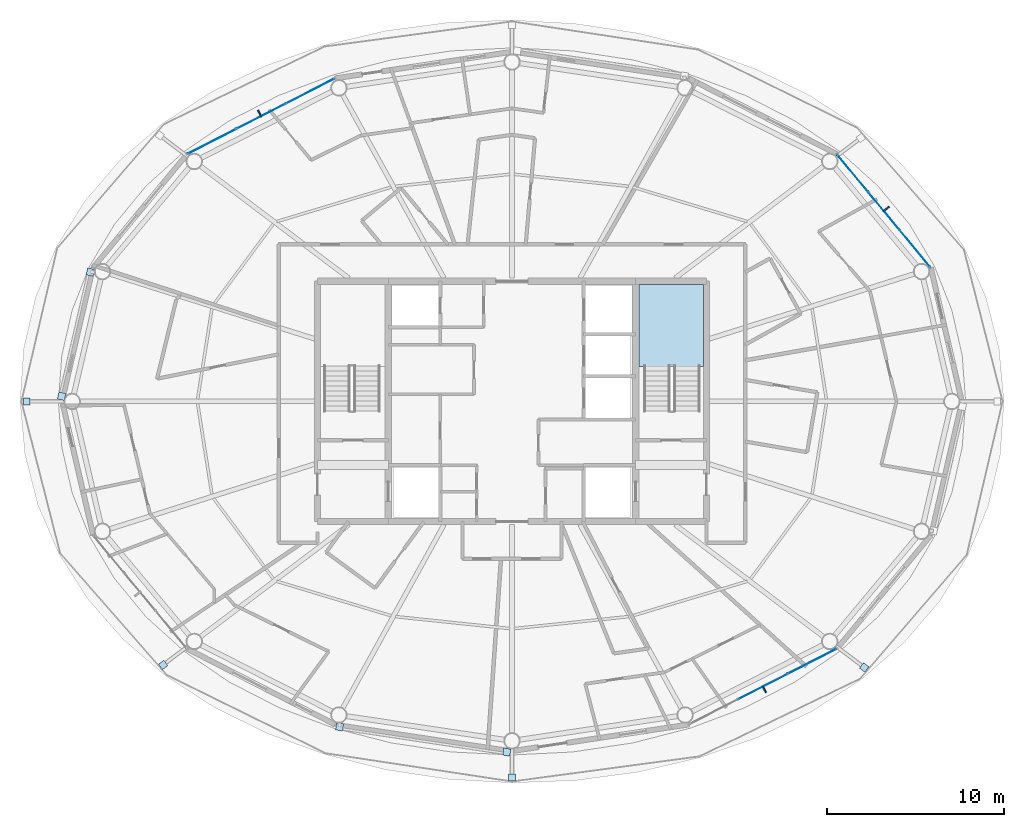
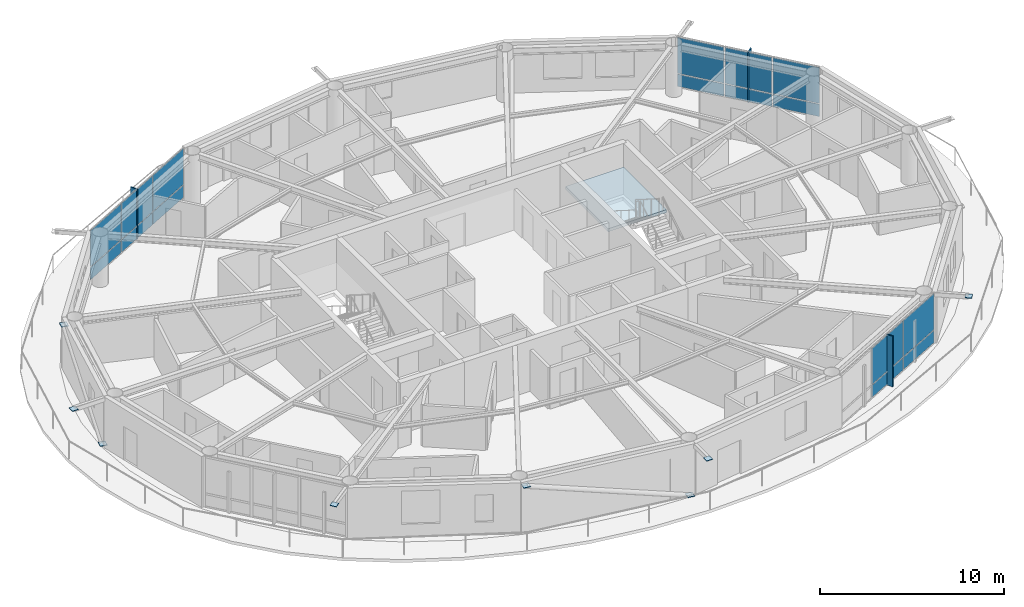
# One storey, part 14 of 22: 27 plates, 1 slab, 4 elements without a shape of their own.
"""IFC4 building model written with IfcOpenShell, lengths in metres."""

from ifc_helpers import new_model, si_unit, direction, frame, origin, origin_2d, place, context, subcontext, project, spatial, polyline, rectangle, outline, extrude, material, layer, layer_set, type_object, element, aggregate, save


model = new_model("IFC4")

# Units and contexts
model_context = context("Model", 3, precision=1e-05, world=origin(), true_north=direction((0.0, 1.0)))
body_context = subcontext(model_context, "Body", "Model", "MODEL_VIEW")
ifc_project = project(units=[si_unit("LENGTHUNIT", "METRE"), si_unit("AREAUNIT", "SQUARE_METRE"), si_unit("VOLUMEUNIT", "CUBIC_METRE"), si_unit("PLANEANGLEUNIT", "RADIAN"), si_unit("MASSUNIT", "GRAM", prefix="KILO")], contexts=[model_context])

# Site, building, storey
site_placement = place(None, origin())
site = spatial("IfcSite", under=ifc_project, at=site_placement, CompositionType="ELEMENT")
building_placement = place(site_placement, origin())
building = spatial("IfcBuilding", under=site, at=building_placement, Name="Sarneth Arch Tower", CompositionType="ELEMENT")
storey_placement = place(building_placement, frame((0.0, 0.0, 298.199951171875)))
storey = spatial("IfcBuildingStorey", under=building, at=storey_placement, Name="L77", CompositionType="ELEMENT", Elevation=298.199951171875)

# Curtain wall, plates
ifc_material_1 = material(Name="Anodised aluminium Type AA25 and solar-control low-e laminated IGU", Category="aluminium")
ifc_layer_1 = layer(ifc_material_1, 0.179931640625)
ifc_layer_set_1 = layer_set([ifc_layer_1], Name="Anodised aluminium Type AA25 and solar-control low-e laminated IGU")
curtain_wall_type = type_object("IfcCurtainWallType", Name="CW-RES-HIGH", PredefinedType="NOTDEFINED", material=ifc_layer_set_1)
curtain_wall_1_placement = place(storey_placement, origin())
curtain_wall_1 = element("IfcCurtainWall", 1, at=curtain_wall_1_placement, inside=storey, type_object=curtain_wall_type, Name="L77 Unitised curtain wall facet 02", PredefinedType="NOTDEFINED")
ifc_material_2 = material(Name="Solar-control low-e laminated IGU", Category="glass")
ifc_layer_2 = layer(ifc_material_2, 0.028076171875)
ifc_layer_set_2 = layer_set([ifc_layer_2], Name="Solar-control low-e laminated IGU")
plate_type_1 = type_object("IfcPlateType", Name="CW-PANEL", PredefinedType="CURTAIN_PANEL", material=ifc_layer_set_2)
plate_1_placement = place(storey_placement, frame((70.799072265625, 50.650634765625, 0.06005859375), z_axis=(0.0, 0.0, 1.0), x_axis=(-0.637610094184, 0.770359245933, 0.0)))
plate_1 = element("IfcPlate", 2, at=plate_1_placement, type_object=plate_type_1, Name="Curtain wall glazed vision pane CW-L77-F02/P00-00", PredefinedType="CURTAIN_PANEL", context=body_context, shape_type="SweptSolid", body=[
    extrude(rectangle(XDim=2.686767578125, YDim=0.028076171875, at=origin_2d()), origin(), (0.0, 0.0, 1.0), 0.81005859375),
])
plate_2_placement = place(storey_placement, frame((70.799072265625, 50.650634765625, 0.93017578125), z_axis=(0.0, 0.0, 1.0), x_axis=(-0.637610094184, 0.770359245933, 0.0)))
plate_2 = element("IfcPlate", 3, at=plate_2_placement, type_object=plate_type_1, Name="Curtain wall glazed vision pane CW-L77-F02/P00-01", PredefinedType="CURTAIN_PANEL", context=body_context, shape_type="SweptSolid", body=[
    extrude(rectangle(XDim=2.686767578125, YDim=0.028076171875, at=origin_2d()), origin(), (0.0, 0.0, 1.0), 2.3798828125),
])
plate_3_placement = place(storey_placement, frame((69.0380859375, 52.778076171875, 0.06005859375), z_axis=(0.0, 0.0, 1.0), x_axis=(-0.637610094184, 0.770359245933, 0.0)))
plate_3 = element("IfcPlate", 4, at=plate_3_placement, type_object=plate_type_1, Name="Curtain wall glazed vision pane CW-L77-F02/P01-00", PredefinedType="CURTAIN_PANEL", context=body_context, shape_type="SweptSolid", body=[
    extrude(rectangle(XDim=2.716552734375, YDim=0.028076171875, at=origin_2d()), origin(), (0.0, 0.0, 1.0), 0.81005859375),
])
plate_4_placement = place(storey_placement, frame((69.0380859375, 52.778076171875, 0.93017578125), z_axis=(0.0, 0.0, 1.0), x_axis=(-0.637610094184, 0.770359245933, 0.0)))
plate_4 = element("IfcPlate", 5, at=plate_4_placement, type_object=plate_type_1, Name="Curtain wall glazed vision pane CW-L77-F02/P01-01", PredefinedType="CURTAIN_PANEL", context=body_context, shape_type="SweptSolid", body=[
    extrude(rectangle(XDim=2.716552734375, YDim=0.028076171875, at=origin_2d()), origin(), (0.0, 0.0, 1.0), 2.3798828125),
])
plate_5_placement = place(storey_placement, frame((67.27734375, 54.905517578125, 0.06005859375), z_axis=(0.0, 0.0, 1.0), x_axis=(-0.637610094184, 0.770359245933, 0.0)))
plate_5 = element("IfcPlate", 6, at=plate_5_placement, type_object=plate_type_1, Name="Curtain wall glazed vision pane CW-L77-F02/P02-00", PredefinedType="CURTAIN_PANEL", context=body_context, shape_type="SweptSolid", body=[
    extrude(rectangle(XDim=2.686767578125, YDim=0.028076171875, at=origin_2d()), origin(), (0.0, 0.0, 1.0), 0.81005859375),
])
plate_6_placement = place(storey_placement, frame((67.27734375, 54.905517578125, 0.93017578125), z_axis=(0.0, 0.0, 1.0), x_axis=(-0.637610094184, 0.770359245933, 0.0)))
plate_6 = element("IfcPlate", 7, at=plate_6_placement, type_object=plate_type_1, Name="Curtain wall glazed vision pane CW-L77-F02/P02-01", PredefinedType="CURTAIN_PANEL", context=body_context, shape_type="SweptSolid", body=[
    extrude(rectangle(XDim=2.686767578125, YDim=0.028076171875, at=origin_2d()), origin(), (0.0, 0.0, 1.0), 2.3798828125),
])
aggregate(curtain_wall_1, [plate_1, plate_2, plate_3, plate_4, plate_5, plate_6])

curtain_wall_2_placement = place(storey_placement, origin())
curtain_wall_2 = element("IfcCurtainWall", 8, at=curtain_wall_2_placement, inside=storey, type_object=curtain_wall_type, Name="L77 Unitised curtain wall facet 06", PredefinedType="NOTDEFINED")
plate_7_placement = place(storey_placement, frame((36.5791015625, 59.552978515625, 0.06005859375), z_axis=(0.0, 0.0, 1.0), x_axis=(-0.890009540525, -0.455941901753, 0.0)))
plate_7 = element("IfcPlate", 9, at=plate_7_placement, type_object=plate_type_1, Name="Curtain wall glazed vision pane CW-L77-F06/P00-00", PredefinedType="CURTAIN_PANEL", context=body_context, shape_type="SweptSolid", body=[
    extrude(rectangle(XDim=3.044677734375, YDim=0.028076171875, at=origin_2d()), origin(), (0.0, 0.0, 1.0), 0.81005859375),
])
plate_8_placement = place(storey_placement, frame((36.5791015625, 59.552978515625, 0.93017578125), z_axis=(0.0, 0.0, 1.0), x_axis=(-0.890009540525, -0.455941901753, 0.0)))
plate_8 = element("IfcPlate", 10, at=plate_8_placement, type_object=plate_type_1, Name="Curtain wall glazed vision pane CW-L77-F06/P00-01", PredefinedType="CURTAIN_PANEL", context=body_context, shape_type="SweptSolid", body=[
    extrude(rectangle(XDim=3.044677734375, YDim=0.028076171875, at=origin_2d()), origin(), (0.0, 0.0, 1.0), 2.3798828125),
])
plate_9_placement = place(storey_placement, frame((33.802490234375, 58.13037109375, 0.06005859375), z_axis=(0.0, 0.0, 1.0), x_axis=(-0.890009540525, -0.455941901753, 0.0)))
plate_9 = element("IfcPlate", 11, at=plate_9_placement, type_object=plate_type_1, Name="Curtain wall glazed vision pane CW-L77-F06/P01-00", PredefinedType="CURTAIN_PANEL", context=body_context, shape_type="SweptSolid", body=[
    extrude(rectangle(XDim=3.07470703125, YDim=0.028076171875, at=origin_2d()), origin(), (0.0, 0.0, 1.0), 0.81005859375),
])
plate_10_placement = place(storey_placement, frame((33.802490234375, 58.13037109375, 0.93017578125), z_axis=(0.0, 0.0, 1.0), x_axis=(-0.890009540525, -0.455941901753, 0.0)))
plate_10 = element("IfcPlate", 12, at=plate_10_placement, type_object=plate_type_1, Name="Curtain wall glazed vision pane CW-L77-F06/P01-01", PredefinedType="CURTAIN_PANEL", context=body_context, shape_type="SweptSolid", body=[
    extrude(rectangle(XDim=3.07470703125, YDim=0.028076171875, at=origin_2d()), origin(), (0.0, 0.0, 1.0), 2.3798828125),
])
plate_11_placement = place(storey_placement, frame((31.02587890625, 56.7080078125, 0.06005859375), z_axis=(0.0, 0.0, 1.0), x_axis=(-0.890009540525, -0.455941901753, 0.0)))
plate_11 = element("IfcPlate", 13, at=plate_11_placement, type_object=plate_type_1, Name="Curtain wall glazed vision pane CW-L77-F06/P02-00", PredefinedType="CURTAIN_PANEL", context=body_context, shape_type="SweptSolid", body=[
    extrude(rectangle(XDim=3.044677734375, YDim=0.028076171875, at=origin_2d()), origin(), (0.0, 0.0, 1.0), 0.81005859375),
])
plate_12_placement = place(storey_placement, frame((31.02587890625, 56.7080078125, 0.93017578125), z_axis=(0.0, 0.0, 1.0), x_axis=(-0.890009540525, -0.455941901753, 0.0)))
plate_12 = element("IfcPlate", 14, at=plate_12_placement, type_object=plate_type_1, Name="Curtain wall glazed vision pane CW-L77-F06/P02-01", PredefinedType="CURTAIN_PANEL", context=body_context, shape_type="SweptSolid", body=[
    extrude(rectangle(XDim=3.044677734375, YDim=0.028076171875, at=origin_2d()), origin(), (0.0, 0.0, 1.0), 2.3798828125),
])
aggregate(curtain_wall_2, [plate_7, plate_8, plate_9, plate_10, plate_11, plate_12])

curtain_wall_3_placement = place(storey_placement, origin())
curtain_wall_3 = element("IfcCurtainWall", 15, at=curtain_wall_3_placement, inside=storey, type_object=curtain_wall_type, Name="L77 Unitised curtain wall facet 14", PredefinedType="NOTDEFINED")
plate_13_placement = place(storey_placement, frame((62.197509765625, 25.86962890625, 0.06005859375), z_axis=(0.0, 0.0, 1.0), x_axis=(0.890009540525, 0.455941901753, 0.0)))
plate_13 = element("IfcPlate", 16, at=plate_13_placement, type_object=plate_type_1, Name="Curtain wall glazed vision pane CW-L77-F14/P01-00", PredefinedType="CURTAIN_PANEL", context=body_context, shape_type="SweptSolid", body=[
    extrude(rectangle(XDim=3.07470703125, YDim=0.028076171875, at=origin_2d()), origin(), (0.0, 0.0, 1.0), 0.81005859375),
])
plate_14_placement = place(storey_placement, frame((62.197509765625, 25.86962890625, 0.93017578125), z_axis=(0.0, 0.0, 1.0), x_axis=(0.890009540525, 0.455941901753, 0.0)))
plate_14 = element("IfcPlate", 17, at=plate_14_placement, type_object=plate_type_1, Name="Curtain wall glazed vision pane CW-L77-F14/P01-01", PredefinedType="CURTAIN_PANEL", context=body_context, shape_type="SweptSolid", body=[
    extrude(rectangle(XDim=3.07470703125, YDim=0.028076171875, at=origin_2d()), origin(), (0.0, 0.0, 1.0), 2.3798828125),
])
plate_15_placement = place(storey_placement, frame((64.97412109375, 27.2919921875, 0.06005859375), z_axis=(0.0, 0.0, 1.0), x_axis=(0.890009540525, 0.455941901753, 0.0)))
plate_15 = element("IfcPlate", 18, at=plate_15_placement, type_object=plate_type_1, Name="Curtain wall glazed vision pane CW-L77-F14/P02-00", PredefinedType="CURTAIN_PANEL", context=body_context, shape_type="SweptSolid", body=[
    extrude(rectangle(XDim=3.044677734375, YDim=0.028076171875, at=origin_2d()), origin(), (0.0, 0.0, 1.0), 0.81005859375),
])
plate_16_placement = place(storey_placement, frame((64.97412109375, 27.2919921875, 0.93017578125), z_axis=(0.0, 0.0, 1.0), x_axis=(0.890009540525, 0.455941901753, 0.0)))
plate_16 = element("IfcPlate", 19, at=plate_16_placement, type_object=plate_type_1, Name="Curtain wall glazed vision pane CW-L77-F14/P02-01", PredefinedType="CURTAIN_PANEL", context=body_context, shape_type="SweptSolid", body=[
    extrude(rectangle(XDim=3.044677734375, YDim=0.028076171875, at=origin_2d()), origin(), (0.0, 0.0, 1.0), 2.3798828125),
])
aggregate(curtain_wall_3, [plate_13, plate_14, plate_15, plate_16])

# Plates
ifc_material_3 = material(Name="Steel S355", Category="steel")
ifc_layer_3 = layer(ifc_material_3, 0.035888671875)
ifc_layer_set_3 = layer_set([ifc_layer_3], Name="Steel S355")
plate_type_2 = type_object("IfcPlateType", Name="PLT-GUSSET-30", PredefinedType="SHEET", material=ifc_layer_set_3)
for number, where, z_axis, x_axis, name in (
    (20, (22.5234375, 42.292236328125, 0.001953125), (0.0, 0.0, 1.0), (-0.225461202458, -0.974252147129, 0.0), "Steel end cap plate GP-1"),
    (21, (24.148193359375, 49.3154296875, 3.07421875), (0.0, 0.0, 1.0), (-0.225461202458, -0.974252147129, 0.0), "Steel end cap plate GP-1"),
):
    element("IfcPlate", number, at=place(storey_placement, frame(where, z_axis=z_axis, x_axis=x_axis)), inside=storey, type_object=plate_type_2, Name=name, PredefinedType="SHEET", context=body_context, shape_type="SweptSolid", body=[
        extrude(rectangle(XDim=0.404052734375, YDim=0.404052734375, at=origin_2d()), origin(), (0.0, 0.0, 1.0), 0.035888671875),
    ])
for number, where, z_axis, x_axis, name in (
    (22, (20.544677734375, 42.0, 3.19189453125), (0.0, 0.0, 1.0), (-1.0, 0.0, 0.0), "Steel end cap plate GP-1"),
    (23, (28.265625, 27.094970703125, 3.19189453125), (0.0, 0.0, 1.0), (-0.798004853043, -0.602651022168, 0.0), "Steel end cap plate GP-1"),
):
    element("IfcPlate", number, at=place(storey_placement, frame(where, z_axis=z_axis, x_axis=x_axis)), inside=storey, type_object=plate_type_2, Name=name, PredefinedType="SHEET", context=body_context, shape_type="SweptSolid", body=[
        extrude(rectangle(XDim=0.3798828125, YDim=0.3798828125, at=origin_2d()), origin(), (0.0, 0.0, 1.0), 0.035888671875),
    ])
for number, where, z_axis, x_axis, name in (
    (24, (47.703369140625, 22.16455078125, 0.001953125), (0.0, 0.0, 1.0), (0.988860535448, -0.148845024885, 0.0), "Steel end cap plate GP-1"),
    (25, (38.245849609375, 23.588623046875, 3.07421875), (0.0, 0.0, 1.0), (0.988860535448, -0.148845024885, 0.0), "Steel end cap plate GP-1"),
):
    element("IfcPlate", number, at=place(storey_placement, frame(where, z_axis=z_axis, x_axis=x_axis)), inside=storey, type_object=plate_type_2, Name=name, PredefinedType="SHEET", context=body_context, shape_type="SweptSolid", body=[
        extrude(rectangle(XDim=0.404052734375, YDim=0.404052734375, at=origin_2d()), origin(), (0.0, 0.0, 1.0), 0.035888671875),
    ])
for number, where, z_axis, x_axis, name in (
    (26, (48.0, 20.72216796875, 3.19189453125), (0.0, 0.0, 1.0), (0.0, -1.0, 0.0), "Steel end cap plate GP-1"),
    (27, (67.9267578125, 26.94970703125, 3.19189453125), (0.0, 0.0, 1.0), (0.798004853043, -0.602651022168, 0.0), "Steel end cap plate GP-1"),
):
    element("IfcPlate", number, at=place(storey_placement, frame(where, z_axis=z_axis, x_axis=x_axis)), inside=storey, type_object=plate_type_2, Name=name, PredefinedType="SHEET", context=body_context, shape_type="SweptSolid", body=[
        extrude(rectangle(XDim=0.3798828125, YDim=0.3798828125, at=origin_2d()), origin(), (0.0, 0.0, 1.0), 0.035888671875),
    ])
ifc_material_4 = material(Name="Extruded glazed terracotta baguette fin on Aluminium 6063-T6 carrier", Category="masonry")
ifc_layer_4 = layer(ifc_material_4, 0.080078125)
ifc_layer_set_4 = layer_set([ifc_layer_4], Name="Extruded glazed terracotta baguette fin on Aluminium 6063-T6 carrier")
plate_type_3 = type_object("IfcPlateType", Name="SHADE-TERRA-FIN", PredefinedType="SHEET", material=ifc_layer_set_4)
for number, where, z_axis, x_axis, name in (
    (28, (69.169189453125, 52.886474609375, 0.010009765625), (0.0, 0.0, 1.0), (0.770401979567, 0.63755845997, 0.0), "L77 Terracotta vertical shading fin 02"),
    (29, (33.724853515625, 58.28173828125, 0.010009765625), (0.0, 0.0, 1.0), (-0.456010959102, 0.889974159838, 0.0), "L77 Terracotta vertical shading fin 06"),
    (30, (62.275146484375, 25.71826171875, 0.010009765625), (0.0, 0.0, 1.0), (0.456010959102, -0.889974159838, 0.0), "L77 Terracotta vertical shading fin 14"),
):
    element("IfcPlate", number, at=place(storey_placement, frame(where, z_axis=z_axis, x_axis=x_axis)), inside=storey, type_object=plate_type_3, Name=name, PredefinedType="SHEET", context=body_context, shape_type="SweptSolid", body=[
        extrude(rectangle(XDim=0.419921875, YDim=0.080078125, at=origin_2d()), origin(), (0.0, 0.0, 1.0), 3.35009765625),
    ])

# Stair, slab
ifc_material_5 = material(Name="Concrete C50/60", Category="concrete")
stair_type = type_object("IfcStairType", Name="STAIR-CORE-RC", PredefinedType="HALF_TURN_STAIR", material=ifc_material_5)
stair_placement = place(storey_placement, origin())
stair = element("IfcStair", 31, at=stair_placement, inside=storey, type_object=stair_type, Name="L77 Core Exit Stair 2", PredefinedType="HALF_TURN_STAIR")
ifc_material_6 = material(Name="Concrete C50/60", Category="concrete")
ifc_layer_5 = layer(ifc_material_6, 0.199951171875)
ifc_layer_set_5 = layer_set([ifc_layer_5], Name="Concrete C50/60")
slab_type = type_object("IfcSlabType", Name="SLAB-LANDING-200", PredefinedType="LANDING", material=ifc_layer_set_5)
slab_placement = place(storey_placement, frame((0.0, 0.0, 1.60009765625)))
slab = element("IfcSlab", 32, at=slab_placement, type_object=slab_type, Name="ST-2 landing 1", PredefinedType="LANDING", context=body_context, shape_type="SweptSolid", body=[
    extrude(outline(polyline([(55.175048828125, 43.985107421875), (58.824951171875, 43.985107421875), (58.824951171875, 48.625), (55.175048828125, 48.625), (55.175048828125, 43.985107421875)])), origin(), (0.0, 0.0, 1.0), 0.199951171875),
])
aggregate(stair, [slab])

save(model, "model.ifc")
